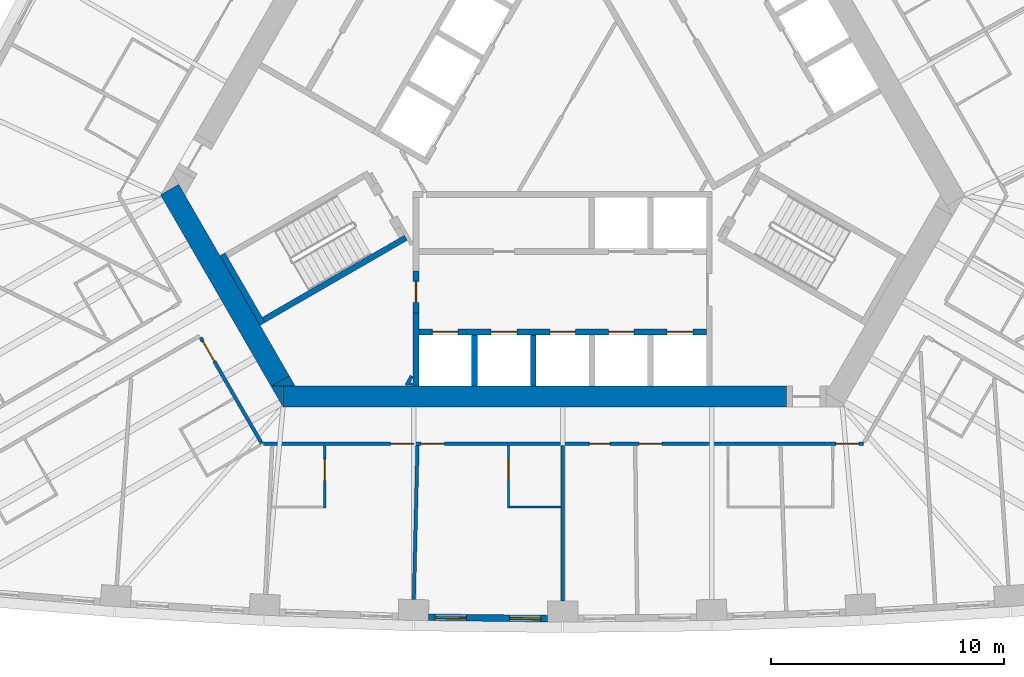
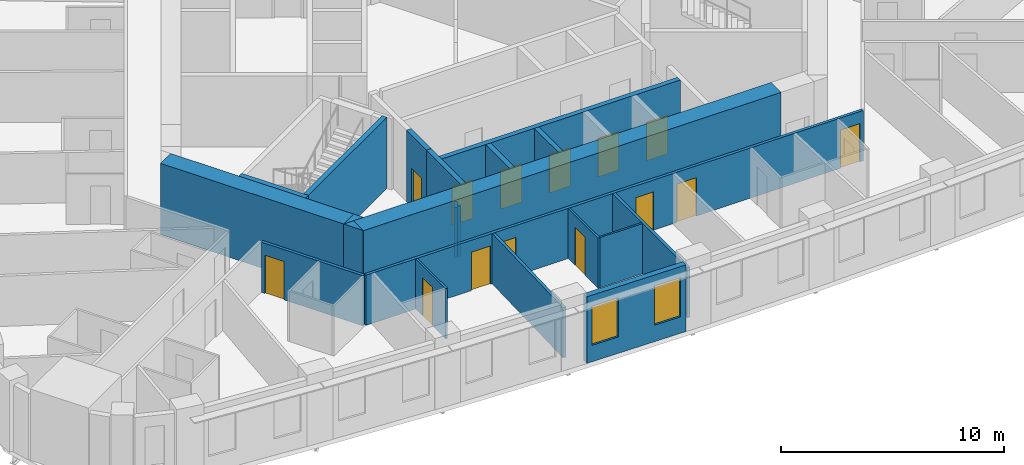
# One storey, part 4 of 13: 21 walls, 14 doors, 2 windows, 16 openings.
"""IFC4 building model written with IfcOpenShell, lengths in metres."""

import ifcopenshell
import ifcopenshell.guid

model = None  # the IFC model being written
_history = None  # IfcOwnerHistory: only IFC2X3 demands one
_inside = {}  # id of a spatial element -> (the spatial element, [elements in it])
_under = {}  # id of a project, library or spatial element -> (it, [spatial elements below it])
_declared = {}  # id of a project -> (the project, [libraries it declares])
_typed = {}  # id of a type object -> (the type object, [elements of that type])
_made_of = {}  # id of a material, layer set ... -> (it, [elements and type objects made of it])


def new_model(schema):
    """Start an empty IFC model of exactly this schema.

    Asked for "IFC4X3", IfcOpenShell would pick the latest addendum, in which some entities
    have other attributes; the version numbers below select the first issue.
    IFC2X3 requires an IfcOwnerHistory on every rooted entity: one is made here for all.
    """
    global model, _history
    if schema == "IFC4X3":
        model = ifcopenshell.file(schema_version=(4, 3, 0, 0))
    else:
        model = ifcopenshell.file(schema=schema)
    _inside.clear()
    _under.clear()
    _declared.clear()
    _typed.clear()
    _made_of.clear()
    _history = None
    if model.schema == "IFC2X3":
        org = make("IfcOrganization", Name="unknown")
        user = make(
            "IfcPersonAndOrganization",
            ThePerson=make("IfcPerson", FamilyName="unknown"),
            TheOrganization=org,
        )
        app = make(
            "IfcApplication",
            ApplicationDeveloper=org,
            Version="unknown",
            ApplicationFullName="unknown",
            ApplicationIdentifier="unknown",
        )
        _history = make(
            "IfcOwnerHistory",
            OwningUser=user,
            OwningApplication=app,
            ChangeAction="ADDED",
            CreationDate=0,
        )
    return model


def make(cls, **values):
    """One entity of the class cls with the attributes given. An attribute that is None is left unset."""
    return model.create_entity(
        cls, **{name: value for name, value in values.items() if value is not None}
    )


def rooted(cls, **values):
    """An entity with a GlobalId (a new one), such as an element, a storey or a relation."""
    return make(cls, GlobalId=ifcopenshell.guid.new(), OwnerHistory=_history, **values)


def si_unit(unit_type, name, prefix=None):
    """IfcSIUnit, for example si_unit("LENGTHUNIT", "METRE", prefix="MILLI")."""
    return make("IfcSIUnit", UnitType=unit_type, Prefix=prefix, Name=name)


def assignment(units):
    """IfcUnitAssignment: the units of a project."""
    return None if units is None else make("IfcUnitAssignment", Units=units)


def point(xyz):
    """IfcCartesianPoint."""
    return None if xyz is None else make("IfcCartesianPoint", Coordinates=xyz)


def direction(xyz):
    """IfcDirection."""
    return None if xyz is None else make("IfcDirection", DirectionRatios=xyz)


def frame(location, z_axis=None, x_axis=None):
    """IfcAxis2Placement3D, a coordinate frame: its origin and axes. An axis left out is left unset."""
    return make(
        "IfcAxis2Placement3D",
        Location=point(location),
        Axis=direction(z_axis),
        RefDirection=direction(x_axis),
    )


def frame_2d(location, x_axis=None):
    """IfcAxis2Placement2D, a coordinate frame in the plane: its origin and x axis."""
    return make(
        "IfcAxis2Placement2D", Location=point(location), RefDirection=direction(x_axis)
    )


def origin():
    """The frame at (0, 0, 0) with its axes left unset."""
    return frame((0.0, 0.0, 0.0))


def place(relative_to, where):
    """IfcLocalPlacement: puts the frame where relative to a parent placement (None: the world)."""
    return make(
        "IfcLocalPlacement", PlacementRelTo=relative_to, RelativePlacement=where
    )


def context(
    kind, dimensions, precision=None, world=None, true_north=None, identifier=None
):
    """IfcGeometricRepresentationContext, for example the 3D "Model" context."""
    return make(
        "IfcGeometricRepresentationContext",
        ContextIdentifier=identifier,
        ContextType=kind,
        CoordinateSpaceDimension=dimensions,
        Precision=precision,
        WorldCoordinateSystem=world,
        TrueNorth=true_north,
    )


def subcontext(parent, identifier, kind, view, scale=None):
    """IfcGeometricRepresentationSubContext, for example "Body" below "Model"."""
    return make(
        "IfcGeometricRepresentationSubContext",
        ContextIdentifier=identifier,
        ContextType=kind,
        ParentContext=parent,
        TargetScale=scale,
        TargetView=view,
    )


def project(units=None, contexts=None):
    """IfcProject with its units and contexts."""
    return rooted(
        "IfcProject",
        Name="project",
        RepresentationContexts=contexts,
        UnitsInContext=assignment(units),
    )


def spatial(cls, under=None, at=None, **own):
    """A site, building, storey or space (cls), placed at a placement, below another one or the project."""
    s = rooted(cls, ObjectPlacement=at, **own)
    if under is not None:
        _under.setdefault(under.id(), (under, []))[1].append(s)
    return s


def polyline(points):
    """IfcPolyline through the points."""
    return make("IfcPolyline", Points=[point(p) for p in points])


def profile(cls, at=None, kind="AREA", **sizes):
    """A parametric profile (cls). Its sizes go by their IFC names, for example OverallWidth=200.0."""
    return make(cls, ProfileType=kind, Position=at, **sizes)


def rectangle(**sizes):
    """IfcRectangleProfileDef."""
    return profile("IfcRectangleProfileDef", **sizes)


def outline(outer, holes=None, kind="AREA"):
    """IfcArbitraryClosedProfileDef: a profile drawn as a closed curve; with holes, ...WithVoids."""
    if holes is None:
        return make("IfcArbitraryClosedProfileDef", ProfileType=kind, OuterCurve=outer)
    return make(
        "IfcArbitraryProfileDefWithVoids",
        ProfileType=kind,
        OuterCurve=outer,
        InnerCurves=holes,
    )


def extrude(swept, where, along, depth):
    """IfcExtrudedAreaSolid: the profile swept, set in the frame where, extruded along a direction by depth."""
    return make(
        "IfcExtrudedAreaSolid",
        SweptArea=swept,
        Position=where,
        ExtrudedDirection=direction(along),
        Depth=depth,
    )


def shape(context_of_items, identifier, shape_type, items):
    """IfcShapeRepresentation: the items that make up one representation, for example the "Body"."""
    return make(
        "IfcShapeRepresentation",
        ContextOfItems=context_of_items,
        RepresentationIdentifier=identifier,
        RepresentationType=shape_type,
        Items=items,
    )


def material(Name=None, Category=None):
    """IfcMaterial."""
    return make("IfcMaterial", Name=Name, Category=Category)


def layer(
    of_material, thickness, ventilated=None, Name=None, Category=None, Priority=None
):
    """IfcMaterialLayer: one layer of a wall or slab, of a material (None: an air gap)."""
    return make(
        "IfcMaterialLayer",
        Material=of_material,
        LayerThickness=thickness,
        IsVentilated=ventilated,
        Name=Name,
        Category=Category,
        Priority=Priority,
    )


def layer_set(layers, Name=None):
    """IfcMaterialLayerSet."""
    return make("IfcMaterialLayerSet", MaterialLayers=layers, LayerSetName=Name)


def made_of(thing, what):
    """Note that an element or type object is made of a material, layer set ...; save() writes the relation."""
    if what is not None:
        _made_of.setdefault(what.id(), (what, []))[1].append(thing)
    return thing


def type_object(cls, material=None, **own):
    """A type object (cls), such as IfcWallType, which elements share."""
    return made_of(rooted(cls, **own), material)


def element(
    cls,
    number,
    at=None,
    inside=None,
    cuts=None,
    type_object=None,
    material=None,
    context=None,
    identifier="Body",
    shape_type=None,
    held_by="IfcProductDefinitionShape",
    body=None,
    shapes=None,
    **own,
):
    """One element of the class cls, such as IfcWall. Its Tag is "e" and its number.

    at: its placement. inside: the storey or other place that contains it. cuts: it is an
    opening in that element (IfcRelVoidsElement). A single representation is given by context,
    identifier, shape_type and body (its items); several are given by shapes. held_by: the class
    of the entity that holds the representations. save() writes the other relations.
    """
    e = rooted(cls, Tag="e%d" % number, ObjectPlacement=at, **own)
    if body is not None:
        shapes = [shape(context, identifier, shape_type, body)]
    if shapes is not None:
        e.Representation = make(held_by, Representations=shapes)
    if inside is not None:
        _inside.setdefault(inside.id(), (inside, []))[1].append(e)
    if cuts is not None:
        rooted(
            "IfcRelVoidsElement", RelatingBuildingElement=cuts, RelatedOpeningElement=e
        )
    if type_object is not None:
        _typed.setdefault(type_object.id(), (type_object, []))[1].append(e)
    return made_of(e, material)


def fill(opening, filler):
    """IfcRelFillsElement: the door or window that sits in an opening."""
    return rooted(
        "IfcRelFillsElement",
        RelatingOpeningElement=opening,
        RelatedBuildingElement=filler,
    )


def aggregate(whole, parts):
    """IfcRelAggregates: a whole, such as a stair, and the parts it consists of."""
    return rooted("IfcRelAggregates", RelatingObject=whole, RelatedObjects=parts)


def save(model, path):
    """Write the relations noted so far, then the file.

    IfcRelAggregates (storeys below a building ...), IfcRelContainedInSpatialStructure (elements
    in a storey), IfcRelDefinesByType, IfcRelAssociatesMaterial and IfcRelDeclares: one each for
    every whole, place, type object, material and project.
    """
    for whole, parts in _under.values():
        aggregate(whole, parts)
    for where, things in _inside.values():
        rooted(
            "IfcRelContainedInSpatialStructure",
            RelatedElements=things,
            RelatingStructure=where,
        )
    for kind, things in _typed.values():
        rooted("IfcRelDefinesByType", RelatedObjects=things, RelatingType=kind)
    for what, things in _made_of.values():
        rooted("IfcRelAssociatesMaterial", RelatedObjects=things, RelatingMaterial=what)
    for by, libraries in _declared.values():
        rooted("IfcRelDeclares", RelatingContext=by, RelatedDefinitions=libraries)
    model.write(path)


model = new_model("IFC4")

# Units and contexts
model_context = context("Model", 3, precision=1e-05, world=origin(), true_north=direction((0.0, 1.0)))
body_context = subcontext(model_context, "Body", "Model", "MODEL_VIEW")
ifc_project = project(units=[si_unit("LENGTHUNIT", "METRE"), si_unit("AREAUNIT", "SQUARE_METRE"), si_unit("VOLUMEUNIT", "CUBIC_METRE"), si_unit("PLANEANGLEUNIT", "RADIAN"), si_unit("MASSUNIT", "GRAM", prefix="KILO")], contexts=[model_context])

# Site, building, storey
site_placement = place(None, origin())
site = spatial("IfcSite", under=ifc_project, at=site_placement, CompositionType="ELEMENT")
building_placement = place(site_placement, origin())
building = spatial("IfcBuilding", under=site, at=building_placement, Name="Mestral Congress Tower", CompositionType="ELEMENT")
storey_placement = place(building_placement, frame((0.0, 0.0, 83.699951171875)))
storey = spatial("IfcBuildingStorey", under=building, at=storey_placement, Name="L19", CompositionType="ELEMENT", Elevation=83.699951171875)

# Walls
ifc_material_1 = material(Name="Fire-rated board partition")
ifc_layer_1 = layer(ifc_material_1, 0.14990234375)
ifc_layer_set_1 = layer_set([ifc_layer_1], Name="Fire-rated board partition")
wall_type_1 = type_object("IfcWallType", Name="Core partition 150", PredefinedType="PARTITIONING", material=ifc_layer_set_1)
wall_1_placement = place(storey_placement, frame((-6.707763671875, -12.068115234375, 0.0), z_axis=(0.0, 0.0, 1.0), x_axis=(0.500000789788, 0.8660249478, 0.0)))
element("IfcWall", 1, at=wall_1_placement, inside=storey, type_object=wall_type_1, Name="L19 core wall", PredefinedType="PARTITIONING", context=body_context, shape_type="SweptSolid", body=[
    extrude(rectangle(XDim=0.45556640625, YDim=0.14990234375, at=frame_2d((0.227783203125, 0.0))), origin(), (0.0, 0.0, 1.0), 2.75),
])
wall_2_placement = place(storey_placement, frame((-6.534423828125, -12.068115234375, 0.0), z_axis=(0.0, 0.0, 1.0), x_axis=(0.500240224089, 0.865886665912, 0.0)))
element("IfcWall", 2, at=wall_2_placement, inside=storey, type_object=wall_type_1, Name="L19 core wall", PredefinedType="PARTITIONING", context=body_context, shape_type="SweptSolid", body=[
    extrude(rectangle(XDim=0.10888671875, YDim=0.14990234375, at=frame_2d((0.054443359375, 0.0))), origin(), (0.0, 0.0, 1.0), 2.75),
])
ifc_material_2 = material(Name="Concrete C60/75", Category="concrete")
ifc_layer_2 = layer(ifc_material_2, 0.89990234375)
ifc_layer_set_2 = layer_set([ifc_layer_2], Name="Concrete C60/75")
wall_type_2 = type_object("IfcWallType", Name="Core wall RC 900", PredefinedType="SOLIDWALL", material=ifc_layer_set_2)
wall_3_placement = place(storey_placement, frame((-12.0185546875, -12.550048828125, 0.0), z_axis=(0.0, 0.0, 1.0), x_axis=(1.0, 0.0, 0.0)))
element("IfcWall", 3, at=wall_3_placement, inside=storey, type_object=wall_type_2, Name="L19 core wall", PredefinedType="SOLIDWALL", context=body_context, shape_type="SweptSolid", body=[
    extrude(rectangle(XDim=21.63037109375, YDim=0.89990234375, at=frame_2d((10.815185546875, 0.0))), origin(), (0.0, 0.0, 1.0), 3.900146484375),
])
placement = place(storey_placement, origin())
element("IfcWall", 4, at=placement, inside=storey, type_object=wall_type_2, Name="L19 core wall", PredefinedType="SOLIDWALL", context=body_context, shape_type="SweptSolid", body=[
    extrude(outline(polyline([(-12.528564453125, -12.10009765625), (-12.0205078125, -12.10009765625), (-12.0205078125, -12.97998046875), (-12.528564453125, -12.10009765625)])), origin(), (0.0, 0.0, 1.0), 3.900146484375),
])
wall_5_placement = place(storey_placement, frame((-12.134033203125, -11.88330078125, 0.0), z_axis=(0.0, 0.0, 1.0), x_axis=(-0.500005339912, 0.866022320763, 0.0)))
element("IfcWall", 5, at=wall_5_placement, inside=storey, type_object=wall_type_2, Name="L19 core wall", PredefinedType="SOLIDWALL", context=body_context, shape_type="SweptSolid", body=[
    extrude(rectangle(XDim=9.48779296875, YDim=0.89990234375, at=frame_2d((4.743896484375, 0.0))), origin(), (0.0, 0.0, 1.0), 3.900146484375),
])
element("IfcWall", 6, at=placement, inside=storey, type_object=wall_type_2, Name="L19 core wall", PredefinedType="SOLIDWALL", context=body_context, shape_type="SweptSolid", body=[
    extrude(outline(polyline([(-11.4892578125, -12.10009765625), (-12.50537109375, -12.10009765625), (-11.743408203125, -11.66015625), (-11.4892578125, -12.10009765625)])), origin(), (0.0, 0.0, 1.0), 3.900146484375),
])

# Wall, openings, windows
ifc_material_3 = material(Name="Precast concrete C40/50 with limestone facing", Category="masonry")
ifc_layer_3 = layer(ifc_material_3, 0.2900390625)
ifc_layer_set_3 = layer_set([ifc_layer_3], Name="Precast concrete C40/50 with limestone facing")
wall_type_3 = type_object("IfcWallType", Name="Facade stone wall 290", PredefinedType="SOLIDWALL", material=ifc_layer_set_3)
wall_7_placement = place(storey_placement, frame((-5.753173828125, -22.031494140625, 0.0), z_axis=(0.0, 0.0, 1.0), x_axis=(0.999931786565, -0.011679992145, 0.0)))
wall_7 = element("IfcWall", 7, at=wall_7_placement, inside=storey, type_object=wall_type_3, Name="Facade wall F0-03", PredefinedType="SOLIDWALL", context=body_context, shape_type="SweptSolid", body=[
    extrude(rectangle(XDim=5.10009765625, YDim=0.2900390625, at=frame_2d((2.550048828125, 0.0))), origin(), (0.0, 0.0, 1.0), 3.650146484375),
])
opening_1_placement = place(wall_7_placement, frame((0.2724609375, 0.0, 0.89990234375)))
opening_1 = element("IfcOpeningElement", 8, at=opening_1_placement, cuts=wall_7, Name="Opening W2", PredefinedType="OPENING", context=body_context, shape_type="SweptSolid", body=[
    extrude(rectangle(XDim=1.35009765625, YDim=2.14990234375, at=frame_2d((0.675048828125, 1.074951171875))), frame((0.0, 0.155029296875, 0.0), z_axis=(0.0, -1.0, 0.0), x_axis=(1.0, 0.0, 0.0)), (0.0, 0.0, 1.0), 0.31005859375),
])
opening_2_placement = place(wall_7_placement, frame((3.477783203125, 0.0, 0.89990234375)))
opening_2 = element("IfcOpeningElement", 9, at=opening_2_placement, cuts=wall_7, Name="Opening W2", PredefinedType="OPENING", context=body_context, shape_type="SweptSolid", body=[
    extrude(rectangle(XDim=1.35009765625, YDim=2.14990234375, at=frame_2d((0.675048828125, 1.074951171875))), frame((0.0, 0.155029296875, 0.0), z_axis=(0.0, -1.0, 0.0), x_axis=(1.0, 0.0, 0.0)), (0.0, 0.0, 1.0), 0.31005859375),
])
ifc_material_4 = material(Name="Clear low-emissivity double glazing", Category="glass")
window_type = type_object("IfcWindowType", Name="Facade punched window 1350 x 2150 sill 900", PartitioningType="DOUBLE_PANEL_VERTICAL", PredefinedType="WINDOW", material=ifc_material_4)
window_1_placement = place(opening_1_placement, origin())
window_1 = element("IfcWindow", 10, at=window_1_placement, inside=storey, type_object=window_type, Name="Window F0-03a", OverallHeight=2.14990234375, OverallWidth=1.35009765625, PartitioningType="DOUBLE_PANEL_VERTICAL", PredefinedType="WINDOW", context=body_context, shape_type="SweptSolid", body=[
    extrude(rectangle(XDim=1.35009765625, YDim=2.14990234375, at=frame_2d((0.675048828125, 1.074951171875))), frame((0.0, 0.01513671875, 0.0), z_axis=(0.0, -1.0, 0.0), x_axis=(1.0, 0.0, 0.0)), (0.0, 0.0, 1.0), 0.06005859375),
])
fill(opening_1, window_1)
window_2_placement = place(opening_2_placement, origin())
window_2 = element("IfcWindow", 11, at=window_2_placement, inside=storey, type_object=window_type, Name="Window F0-03b", OverallHeight=2.14990234375, OverallWidth=1.35009765625, PartitioningType="DOUBLE_PANEL_VERTICAL", PredefinedType="WINDOW", context=body_context, shape_type="SweptSolid", body=[
    extrude(rectangle(XDim=1.35009765625, YDim=2.14990234375, at=frame_2d((0.675048828125, 1.074951171875))), frame((0.0, 0.01513671875, 0.0), z_axis=(0.0, -1.0, 0.0), x_axis=(1.0, 0.0, 0.0)), (0.0, 0.0, 1.0), 0.06005859375),
])
fill(opening_2, window_2)

# Wall, opening, door
ifc_material_5 = material(Name="Gypsum board partition on metal studs with mineral wool", Category="composite")
ifc_layer_4 = layer(ifc_material_5, 0.10009765625)
ifc_layer_set_4 = layer_set([ifc_layer_4], Name="Gypsum board partition on metal studs with mineral wool")
wall_type_4 = type_object("IfcWallType", Name="Hotel partition wall 100", PredefinedType="PARTITIONING", material=ifc_layer_set_4)
wall_8_placement = place(storey_placement, frame((-10.222412109375, -17.35009765625, 0.0), z_axis=(0.0, 0.0, 1.0), x_axis=(0.0, 1.0, 0.0)))
wall_8 = element("IfcWall", 12, at=wall_8_placement, inside=storey, type_object=wall_type_4, Name="L19-h-pod03a", PredefinedType="PARTITIONING", context=body_context, shape_type="SweptSolid", body=[
    extrude(rectangle(XDim=2.7001953125, YDim=0.10009765625, at=frame_2d((1.35009765625, 0.0))), origin(), (0.0, 0.0, 1.0), 2.75),
])
opening_3_placement = place(wall_8_placement, frame((1.199951171875, 0.0, 0.0)))
opening_3 = element("IfcOpeningElement", 13, at=opening_3_placement, cuts=wall_8, Name="Opening H06-006", PredefinedType="OPENING", context=body_context, shape_type="SweptSolid", body=[
    extrude(rectangle(XDim=0.89990234375, YDim=2.10009765625, at=frame_2d((0.449951171875, 1.050048828125))), frame((0.0, 0.06005859375, 0.0), z_axis=(0.0, -1.0, 0.0), x_axis=(1.0, 0.0, 0.0)), (0.0, 0.0, 1.0), 0.1201171875),
])
ifc_material_6 = material(Name="Timber veneer door leaf in timber frame", Category="wood")
door_type_1 = type_object("IfcDoorType", Name="Bathroom door 900", OperationType="SINGLE_SWING_LEFT", PredefinedType="DOOR", material=ifc_material_6)
door_1_placement = place(opening_3_placement, origin())
door_1 = element("IfcDoor", 14, at=door_1_placement, inside=storey, type_object=door_type_1, Name="L19-h-d006", OperationType="SINGLE_SWING_RIGHT", OverallHeight=2.10009765625, OverallWidth=0.89990234375, PredefinedType="DOOR", context=body_context, shape_type="SweptSolid", body=[
    extrude(rectangle(XDim=0.89990234375, YDim=2.10009765625, at=frame_2d((0.449951171875, 1.050048828125))), frame((0.0, 0.02490234375, 0.0), z_axis=(0.0, -1.0, 0.0), x_axis=(1.0, 0.0, 0.0)), (0.0, 0.0, 1.0), 0.050048828125),
])
fill(opening_3, door_1)

wall_9_placement = place(storey_placement, frame((-2.325927734375, -14.64990234375, 0.0), z_axis=(0.0, 0.0, 1.0), x_axis=(0.0, -1.0, 0.0)))
wall_9 = element("IfcWall", 15, at=wall_9_placement, inside=storey, type_object=wall_type_4, Name="L19-h-pod04a", PredefinedType="PARTITIONING", context=body_context, shape_type="SweptSolid", body=[
    extrude(rectangle(XDim=2.7001953125, YDim=0.10009765625, at=frame_2d((1.35009765625, 0.0))), origin(), (0.0, 0.0, 1.0), 2.75),
])
opening_4_placement = place(wall_9_placement, frame((0.60009765625, 0.0, 0.0)))
opening_4 = element("IfcOpeningElement", 16, at=opening_4_placement, cuts=wall_9, Name="Opening H06-008", PredefinedType="OPENING", context=body_context, shape_type="SweptSolid", body=[
    extrude(rectangle(XDim=0.89990234375, YDim=2.10009765625, at=frame_2d((0.449951171875, 1.050048828125))), frame((0.0, 0.06005859375, 0.0), z_axis=(0.0, -1.0, 0.0), x_axis=(1.0, 0.0, 0.0)), (0.0, 0.0, 1.0), 0.1201171875),
])
door_2_placement = place(opening_4_placement, origin())
door_2 = element("IfcDoor", 17, at=door_2_placement, inside=storey, type_object=door_type_1, Name="L19-h-d008", OperationType="SINGLE_SWING_LEFT", OverallHeight=2.10009765625, OverallWidth=0.89990234375, PredefinedType="DOOR", context=body_context, shape_type="SweptSolid", body=[
    extrude(rectangle(XDim=0.89990234375, YDim=2.10009765625, at=frame_2d((0.449951171875, 1.050048828125))), frame((0.0, 0.02490234375, 0.0), z_axis=(0.0, -1.0, 0.0), x_axis=(1.0, 0.0, 0.0)), (0.0, 0.0, 1.0), 0.050048828125),
])
fill(opening_4, door_2)

# Wall
wall_10_placement = place(storey_placement, frame((-2.27587890625, -17.300048828125, 0.0), z_axis=(0.0, 0.0, 1.0), x_axis=(1.0, 0.0, 0.0)))
element("IfcWall", 18, at=wall_10_placement, inside=storey, type_object=wall_type_4, Name="L19-h-pod04b", PredefinedType="PARTITIONING", context=body_context, shape_type="SweptSolid", body=[
    extrude(rectangle(XDim=2.199951171875, YDim=0.10009765625, at=frame_2d((1.10009765625, 0.0))), origin(), (0.0, 0.0, 1.0), 2.75),
])

# Wall, opening, door
ifc_layer_5 = layer(ifc_material_5, 0.14990234375)
ifc_layer_set_5 = layer_set([ifc_layer_5], Name="Gypsum board partition on metal studs with mineral wool")
wall_type_5 = type_object("IfcWallType", Name="Hotel partition wall 150", PredefinedType="PARTITIONING", material=ifc_layer_set_5)
wall_11_placement = place(storey_placement, frame((-12.918212890625, -14.574951171875, 0.0), z_axis=(0.0, 0.0, 1.0), x_axis=(-0.500009150678, 0.866020120573, 0.0)))
wall_11 = element("IfcWall", 19, at=wall_11_placement, inside=storey, type_object=wall_type_5, Name="L19-h-cw12", PredefinedType="PARTITIONING", context=body_context, shape_type="SweptSolid", body=[
    extrude(rectangle(XDim=5.25830078125, YDim=0.14990234375, at=frame_2d((2.629150390625, 0.0))), origin(), (0.0, 0.0, 1.0), 2.75),
])
opening_5_placement = place(wall_11_placement, frame((4.078125, 0.0, 0.0)))
opening_5 = element("IfcOpeningElement", 20, at=opening_5_placement, cuts=wall_11, Name="Opening H06-003", PredefinedType="OPENING", context=body_context, shape_type="SweptSolid", body=[
    extrude(rectangle(XDim=1.0, YDim=2.10009765625, at=frame_2d((0.5, 1.050048828125))), frame((0.0, 0.0849609375, 0.0), z_axis=(0.0, -1.0, 0.0), x_axis=(1.0, 0.0, 0.0)), (0.0, 0.0, 1.0), 0.169921875),
])
ifc_material_7 = material(Name="Timber veneer door leaf in metal frame", Category="wood")
door_type_2 = type_object("IfcDoorType", Name="Guest room entrance door 1000", OperationType="SINGLE_SWING_LEFT", PredefinedType="DOOR", material=ifc_material_7)
door_3_placement = place(opening_5_placement, origin())
door_3 = element("IfcDoor", 21, at=door_3_placement, inside=storey, type_object=door_type_2, Name="L19-h-d003", OperationType="SINGLE_SWING_RIGHT", OverallHeight=2.10009765625, OverallWidth=1.0, PredefinedType="DOOR", context=body_context, shape_type="SweptSolid", body=[
    extrude(rectangle(XDim=1.0, YDim=2.10009765625, at=frame_2d((0.5, 1.050048828125))), frame((0.0, 0.02490234375, 0.0), z_axis=(0.0, -1.0, 0.0), x_axis=(1.0, 0.0, 0.0)), (0.0, 0.0, 1.0), 0.050048828125),
])
fill(opening_5, door_3)

# Wall, openings, doors
wall_12_placement = place(storey_placement, frame((12.918212890625, -14.574951171875, 0.0), z_axis=(0.0, 0.0, 1.0), x_axis=(-1.0, 0.0, 0.0)))
wall_12 = element("IfcWall", 22, at=wall_12_placement, inside=storey, type_object=wall_type_5, Name="L19-h-cw13", PredefinedType="PARTITIONING", context=body_context, shape_type="SweptSolid", body=[
    extrude(rectangle(XDim=25.766357421875, YDim=0.14990234375, at=frame_2d((12.88330078125, 0.0))), origin(), (0.0, 0.0, 1.0), 2.75),
])
opening_6_placement = place(wall_12_placement, frame((19.305908203125, 0.0, 0.0)))
opening_6 = element("IfcOpeningElement", 23, at=opening_6_placement, cuts=wall_12, Name="Opening H06-005", PredefinedType="OPENING", context=body_context, shape_type="SweptSolid", body=[
    extrude(rectangle(XDim=1.0, YDim=2.10009765625, at=frame_2d((0.5, 1.050048828125))), frame((0.0, 0.0849609375, 0.0), z_axis=(0.0, -1.0, 0.0), x_axis=(1.0, 0.0, 0.0)), (0.0, 0.0, 1.0), 0.169921875),
])
opening_7_placement = place(wall_12_placement, frame((17.99853515625, 0.0, 0.0)))
opening_7 = element("IfcOpeningElement", 24, at=opening_7_placement, cuts=wall_12, Name="Opening H06-007", PredefinedType="OPENING", context=body_context, shape_type="SweptSolid", body=[
    extrude(rectangle(XDim=1.0, YDim=2.10009765625, at=frame_2d((0.5, 1.050048828125))), frame((0.0, 0.0849609375, 0.0), z_axis=(0.0, -1.0, 0.0), x_axis=(1.0, 0.0, 0.0)), (0.0, 0.0, 1.0), 0.169921875),
])
opening_8_placement = place(wall_12_placement, frame((10.8740234375, 0.0, 0.0)))
opening_8 = element("IfcOpeningElement", 25, at=opening_8_placement, cuts=wall_12, Name="Opening H06-009", PredefinedType="OPENING", context=body_context, shape_type="SweptSolid", body=[
    extrude(rectangle(XDim=0.89990234375, YDim=2.10009765625, at=frame_2d((0.449951171875, 1.050048828125))), frame((0.0, 0.0849609375, 0.0), z_axis=(0.0, -1.0, 0.0), x_axis=(1.0, 0.0, 0.0)), (0.0, 0.0, 1.0), 0.169921875),
])
opening_9_placement = place(wall_12_placement, frame((8.6474609375, 0.0, 0.0)))
opening_9 = element("IfcOpeningElement", 26, at=opening_9_placement, cuts=wall_12, Name="Opening H06-010", PredefinedType="OPENING", context=body_context, shape_type="SweptSolid", body=[
    extrude(rectangle(XDim=1.0, YDim=2.10009765625, at=frame_2d((0.5, 1.050048828125))), frame((0.0, 0.0849609375, 0.0), z_axis=(0.0, -1.0, 0.0), x_axis=(1.0, 0.0, 0.0)), (0.0, 0.0, 1.0), 0.169921875),
])
opening_10_placement = place(wall_12_placement, frame((0.179931640625, 0.0, 0.0)))
opening_10 = element("IfcOpeningElement", 27, at=opening_10_placement, cuts=wall_12, Name="Opening H06-012", PredefinedType="OPENING", context=body_context, shape_type="SweptSolid", body=[
    extrude(rectangle(XDim=1.0, YDim=2.10009765625, at=frame_2d((0.5, 1.050048828125))), frame((0.0, 0.0849609375, 0.0), z_axis=(0.0, -1.0, 0.0), x_axis=(1.0, 0.0, 0.0)), (0.0, 0.0, 1.0), 0.169921875),
])
door_4_placement = place(opening_6_placement, origin())
door_4 = element("IfcDoor", 28, at=door_4_placement, inside=storey, type_object=door_type_2, Name="L19-h-d005", OperationType="SINGLE_SWING_LEFT", OverallHeight=2.10009765625, OverallWidth=1.0, PredefinedType="DOOR", context=body_context, shape_type="SweptSolid", body=[
    extrude(rectangle(XDim=1.0, YDim=2.10009765625, at=frame_2d((0.5, 1.050048828125))), frame((0.0, 0.02490234375, 0.0), z_axis=(0.0, -1.0, 0.0), x_axis=(1.0, 0.0, 0.0)), (0.0, 0.0, 1.0), 0.050048828125),
])
fill(opening_6, door_4)
door_5_placement = place(opening_7_placement, origin())
door_5 = element("IfcDoor", 29, at=door_5_placement, inside=storey, type_object=door_type_2, Name="L19-h-d007", OperationType="SINGLE_SWING_RIGHT", OverallHeight=2.10009765625, OverallWidth=1.0, PredefinedType="DOOR", context=body_context, shape_type="SweptSolid", body=[
    extrude(rectangle(XDim=1.0, YDim=2.10009765625, at=frame_2d((0.5, 1.050048828125))), frame((0.0, 0.02490234375, 0.0), z_axis=(0.0, -1.0, 0.0), x_axis=(1.0, 0.0, 0.0)), (0.0, 0.0, 1.0), 0.050048828125),
])
fill(opening_7, door_5)
door_6_placement = place(opening_9_placement, origin())
door_6 = element("IfcDoor", 30, at=door_6_placement, inside=storey, type_object=door_type_2, Name="L19-h-d010", OperationType="SINGLE_SWING_RIGHT", OverallHeight=2.10009765625, OverallWidth=1.0, PredefinedType="DOOR", context=body_context, shape_type="SweptSolid", body=[
    extrude(rectangle(XDim=1.0, YDim=2.10009765625, at=frame_2d((0.5, 1.050048828125))), frame((0.0, 0.02490234375, 0.0), z_axis=(0.0, -1.0, 0.0), x_axis=(1.0, 0.0, 0.0)), (0.0, 0.0, 1.0), 0.050048828125),
])
fill(opening_9, door_6)
door_7_placement = place(opening_10_placement, origin())
door_7 = element("IfcDoor", 31, at=door_7_placement, inside=storey, type_object=door_type_2, Name="L19-h-d012", OperationType="SINGLE_SWING_LEFT", OverallHeight=2.10009765625, OverallWidth=1.0, PredefinedType="DOOR", context=body_context, shape_type="SweptSolid", body=[
    extrude(rectangle(XDim=1.0, YDim=2.10009765625, at=frame_2d((0.5, 1.050048828125))), frame((0.0, 0.02490234375, 0.0), z_axis=(0.0, -1.0, 0.0), x_axis=(1.0, 0.0, 0.0)), (0.0, 0.0, 1.0), 0.050048828125),
])
fill(opening_10, door_7)
door_type_3 = type_object("IfcDoorType", Name="Service room door 900", OperationType="SINGLE_SWING_LEFT", PredefinedType="DOOR", material=ifc_material_7)
door_8_placement = place(opening_8_placement, origin())
door_8 = element("IfcDoor", 32, at=door_8_placement, inside=storey, type_object=door_type_3, Name="L19-h-d009", OperationType="SINGLE_SWING_LEFT", OverallHeight=2.10009765625, OverallWidth=0.89990234375, PredefinedType="DOOR", context=body_context, shape_type="SweptSolid", body=[
    extrude(rectangle(XDim=0.89990234375, YDim=2.10009765625, at=frame_2d((0.449951171875, 1.050048828125))), frame((0.0, 0.02490234375, 0.0), z_axis=(0.0, -1.0, 0.0), x_axis=(1.0, 0.0, 0.0)), (0.0, 0.0, 1.0), 0.050048828125),
])
fill(opening_8, door_8)

# Walls
wall_13_placement = place(storey_placement, frame((-6.388916015625, -21.268798828125, 0.0), z_axis=(0.0, 0.0, 1.0), x_axis=(0.023377429176, 0.999726710559, 0.0)))
element("IfcWall", 33, at=wall_13_placement, inside=storey, type_object=wall_type_5, Name="L19-h-pw12", PredefinedType="PARTITIONING", context=body_context, shape_type="SweptSolid", body=[
    extrude(rectangle(XDim=6.610595703125, YDim=0.14990234375, at=frame_2d((3.30517578125, 0.0))), origin(), (0.0, 0.0, 1.0), 2.75),
])
wall_14_placement = place(storey_placement, frame((0.0, -21.343505859375, 0.0), z_axis=(0.0, 0.0, 1.0), x_axis=(0.0, 1.0, 0.0)))
element("IfcWall", 34, at=wall_14_placement, inside=storey, type_object=wall_type_5, Name="L19-h-pw15", PredefinedType="PARTITIONING", context=body_context, shape_type="SweptSolid", body=[
    extrude(rectangle(XDim=6.693603515625, YDim=0.14990234375, at=frame_2d((3.3466796875, 0.0))), origin(), (0.0, 0.0, 1.0), 2.75),
])
ifc_layer_6 = layer(ifc_material_2, 0.25)
ifc_layer_set_6 = layer_set([ifc_layer_6], Name="Concrete C60/75")
wall_type_6 = type_object("IfcWallType", Name="Shaft wall RC 250", PredefinedType="SOLIDWALL", material=ifc_layer_set_6)
wall_15_placement = place(storey_placement, frame((-3.780029296875, -12.10009765625, 0.0), z_axis=(0.0, 0.0, 1.0), x_axis=(0.0, 1.0, 0.0)))
element("IfcWall", 35, at=wall_15_placement, inside=storey, type_object=wall_type_6, Name="L19 core wall", PredefinedType="SOLIDWALL", context=body_context, shape_type="SweptSolid", body=[
    extrude(rectangle(XDim=2.199951171875, YDim=0.25, at=frame_2d((1.10009765625, 0.0))), origin(), (0.0, 0.0, 1.0), 3.900146484375),
])
wall_16_placement = place(storey_placement, frame((-6.300048828125, -12.10009765625, 0.0), z_axis=(0.0, 0.0, 1.0), x_axis=(0.0, 1.0, 0.0)))
element("IfcWall", 36, at=wall_16_placement, inside=storey, type_object=wall_type_6, Name="L19 core wall", PredefinedType="SOLIDWALL", context=body_context, shape_type="SweptSolid", body=[
    extrude(rectangle(XDim=3.1455078125, YDim=0.25, at=frame_2d((1.57275390625, 0.0))), origin(), (0.0, 0.0, 1.0), 3.900146484375),
])
wall_17_placement = place(storey_placement, frame((-1.260009765625, -12.10009765625, 0.0), z_axis=(0.0, 0.0, 1.0), x_axis=(0.0, 1.0, 0.0)))
element("IfcWall", 37, at=wall_17_placement, inside=storey, type_object=wall_type_6, Name="L19 core wall", PredefinedType="SOLIDWALL", context=body_context, shape_type="SweptSolid", body=[
    extrude(rectangle(XDim=2.199951171875, YDim=0.25, at=frame_2d((1.10009765625, 0.0))), origin(), (0.0, 0.0, 1.0), 3.900146484375),
])

# Wall, openings, doors
wall_18_placement = place(storey_placement, frame((-6.175048828125, -9.77490234375, 0.0), z_axis=(0.0, 0.0, 1.0), x_axis=(1.0, 0.0, 0.0)))
wall_18 = element("IfcWall", 38, at=wall_18_placement, inside=storey, type_object=wall_type_6, Name="L19 door wall", PredefinedType="SOLIDWALL", context=body_context, shape_type="SweptSolid", body=[
    extrude(rectangle(XDim=12.35009765625, YDim=0.25, at=frame_2d((6.175048828125, 0.0))), origin(), (0.0, 0.0, 1.0), 3.900146484375),
])
opening_11_placement = place(wall_18_placement, frame((0.5849609375, 0.0, 0.0)))
opening_11 = element("IfcOpeningElement", 39, at=opening_11_placement, cuts=wall_18, Name="Opening LD-SOA1", PredefinedType="OPENING", context=body_context, shape_type="SweptSolid", body=[
    extrude(rectangle(XDim=1.10009765625, YDim=2.10009765625, at=frame_2d((0.550048828125, 1.050048828125))), frame((0.0, 0.135009765625, 0.0), z_axis=(0.0, -1.0, 0.0), x_axis=(1.0, 0.0, 0.0)), (0.0, 0.0, 1.0), 0.27001953125),
])
opening_12_placement = place(wall_18_placement, frame((3.10498046875, 0.0, 0.0)))
opening_12 = element("IfcOpeningElement", 40, at=opening_12_placement, cuts=wall_18, Name="Opening LD-SOA2", PredefinedType="OPENING", context=body_context, shape_type="SweptSolid", body=[
    extrude(rectangle(XDim=1.10009765625, YDim=2.10009765625, at=frame_2d((0.550048828125, 1.050048828125))), frame((0.0, 0.135009765625, 0.0), z_axis=(0.0, -1.0, 0.0), x_axis=(1.0, 0.0, 0.0)), (0.0, 0.0, 1.0), 0.27001953125),
])
opening_13_placement = place(wall_18_placement, frame((5.625, 0.0, 0.0)))
opening_13 = element("IfcOpeningElement", 41, at=opening_13_placement, cuts=wall_18, Name="Opening LD-SOA3", PredefinedType="OPENING", context=body_context, shape_type="SweptSolid", body=[
    extrude(rectangle(XDim=1.10009765625, YDim=2.10009765625, at=frame_2d((0.550048828125, 1.050048828125))), frame((0.0, 0.135009765625, 0.0), z_axis=(0.0, -1.0, 0.0), x_axis=(1.0, 0.0, 0.0)), (0.0, 0.0, 1.0), 0.27001953125),
])
opening_14_placement = place(wall_18_placement, frame((8.14501953125, 0.0, 0.0)))
opening_14 = element("IfcOpeningElement", 42, at=opening_14_placement, cuts=wall_18, Name="Opening LD-SOA4", PredefinedType="OPENING", context=body_context, shape_type="SweptSolid", body=[
    extrude(rectangle(XDim=1.10009765625, YDim=2.10009765625, at=frame_2d((0.550048828125, 1.050048828125))), frame((0.0, 0.135009765625, 0.0), z_axis=(0.0, -1.0, 0.0), x_axis=(1.0, 0.0, 0.0)), (0.0, 0.0, 1.0), 0.27001953125),
])
opening_15_placement = place(wall_18_placement, frame((10.6650390625, 0.0, 0.0)))
opening_15 = element("IfcOpeningElement", 43, at=opening_15_placement, cuts=wall_18, Name="Opening LD-SOA5", PredefinedType="OPENING", context=body_context, shape_type="SweptSolid", body=[
    extrude(rectangle(XDim=1.10009765625, YDim=2.10009765625, at=frame_2d((0.550048828125, 1.050048828125))), frame((0.0, 0.135009765625, 0.0), z_axis=(0.0, -1.0, 0.0), x_axis=(1.0, 0.0, 0.0)), (0.0, 0.0, 1.0), 0.27001953125),
])
ifc_material_8 = material(Name="Fire-rated steel door set", Category="steel")
door_type_4 = type_object("IfcDoorType", Name="Core door LD 1100x2100", OperationType="DOUBLE_DOOR_SLIDING", PredefinedType="DOOR", material=ifc_material_8)
door_9_placement = place(opening_11_placement, origin())
door_9 = element("IfcDoor", 44, at=door_9_placement, inside=storey, type_object=door_type_4, Name="Door LD-SOA1", OperationType="DOUBLE_DOOR_SLIDING", OverallHeight=2.10009765625, OverallWidth=1.10009765625, PredefinedType="DOOR", context=body_context, shape_type="SweptSolid", body=[
    extrude(rectangle(XDim=1.10009765625, YDim=2.10009765625, at=frame_2d((0.550048828125, 1.050048828125))), frame((0.0, 0.02490234375, 0.0), z_axis=(0.0, -1.0, 0.0), x_axis=(1.0, 0.0, 0.0)), (0.0, 0.0, 1.0), 0.050048828125),
])
fill(opening_11, door_9)
door_10_placement = place(opening_12_placement, origin())
door_10 = element("IfcDoor", 45, at=door_10_placement, inside=storey, type_object=door_type_4, Name="Door LD-SOA2", OperationType="DOUBLE_DOOR_SLIDING", OverallHeight=2.10009765625, OverallWidth=1.10009765625, PredefinedType="DOOR", context=body_context, shape_type="SweptSolid", body=[
    extrude(rectangle(XDim=1.10009765625, YDim=2.10009765625, at=frame_2d((0.550048828125, 1.050048828125))), frame((0.0, 0.02490234375, 0.0), z_axis=(0.0, -1.0, 0.0), x_axis=(1.0, 0.0, 0.0)), (0.0, 0.0, 1.0), 0.050048828125),
])
fill(opening_12, door_10)
door_11_placement = place(opening_13_placement, origin())
door_11 = element("IfcDoor", 46, at=door_11_placement, inside=storey, type_object=door_type_4, Name="Door LD-SOA3", OperationType="DOUBLE_DOOR_SLIDING", OverallHeight=2.10009765625, OverallWidth=1.10009765625, PredefinedType="DOOR", context=body_context, shape_type="SweptSolid", body=[
    extrude(rectangle(XDim=1.10009765625, YDim=2.10009765625, at=frame_2d((0.550048828125, 1.050048828125))), frame((0.0, 0.02490234375, 0.0), z_axis=(0.0, -1.0, 0.0), x_axis=(1.0, 0.0, 0.0)), (0.0, 0.0, 1.0), 0.050048828125),
])
fill(opening_13, door_11)
door_12_placement = place(opening_14_placement, origin())
door_12 = element("IfcDoor", 47, at=door_12_placement, inside=storey, type_object=door_type_4, Name="Door LD-SOA4", OperationType="DOUBLE_DOOR_SLIDING", OverallHeight=2.10009765625, OverallWidth=1.10009765625, PredefinedType="DOOR", context=body_context, shape_type="SweptSolid", body=[
    extrude(rectangle(XDim=1.10009765625, YDim=2.10009765625, at=frame_2d((0.550048828125, 1.050048828125))), frame((0.0, 0.02490234375, 0.0), z_axis=(0.0, -1.0, 0.0), x_axis=(1.0, 0.0, 0.0)), (0.0, 0.0, 1.0), 0.050048828125),
])
fill(opening_14, door_12)
door_13_placement = place(opening_15_placement, origin())
door_13 = element("IfcDoor", 48, at=door_13_placement, inside=storey, type_object=door_type_4, Name="Door LD-SOA5", OperationType="DOUBLE_DOOR_SLIDING", OverallHeight=2.10009765625, OverallWidth=1.10009765625, PredefinedType="DOOR", context=body_context, shape_type="SweptSolid", body=[
    extrude(rectangle(XDim=1.10009765625, YDim=2.10009765625, at=frame_2d((0.550048828125, 1.050048828125))), frame((0.0, 0.02490234375, 0.0), z_axis=(0.0, -1.0, 0.0), x_axis=(1.0, 0.0, 0.0)), (0.0, 0.0, 1.0), 0.050048828125),
])
fill(opening_15, door_13)

# Wall, opening, door
wall_19_placement = place(storey_placement, frame((-6.300048828125, -7.154296875, 0.0), z_axis=(0.0, 0.0, 1.0), x_axis=(0.0, -1.0, 0.0)))
wall_19 = element("IfcWall", 49, at=wall_19_placement, inside=storey, type_object=wall_type_6, Name="L19 door wall", PredefinedType="SOLIDWALL", context=body_context, shape_type="SweptSolid", body=[
    extrude(rectangle(XDim=1.800048828125, YDim=0.25, at=frame_2d((0.89990234375, 0.0))), origin(), (0.0, 0.0, 1.0), 3.900146484375),
])
opening_16_placement = place(wall_19_placement, frame((0.449951171875, 0.0, 0.0)))
opening_16 = element("IfcOpeningElement", 50, at=opening_16_placement, cuts=wall_19, Name="Opening TD3", PredefinedType="OPENING", context=body_context, shape_type="SweptSolid", body=[
    extrude(rectangle(XDim=0.89990234375, YDim=2.10009765625, at=frame_2d((0.449951171875, 1.050048828125))), frame((0.0, 0.135009765625, 0.0), z_axis=(0.0, -1.0, 0.0), x_axis=(1.0, 0.0, 0.0)), (0.0, 0.0, 1.0), 0.27001953125),
])
door_type_5 = type_object("IfcDoorType", Name="Core door SR 900x2100", OperationType="SINGLE_SWING_LEFT", PredefinedType="DOOR", material=ifc_material_8)
door_14_placement = place(opening_16_placement, origin())
door_14 = element("IfcDoor", 51, at=door_14_placement, inside=storey, type_object=door_type_5, Name="Door TD3", OperationType="SINGLE_SWING_LEFT", OverallHeight=2.10009765625, OverallWidth=0.89990234375, PredefinedType="DOOR", context=body_context, shape_type="SweptSolid", body=[
    extrude(rectangle(XDim=0.89990234375, YDim=2.10009765625, at=frame_2d((0.449951171875, 1.050048828125))), frame((0.0, 0.02490234375, 0.0), z_axis=(0.0, -1.0, 0.0), x_axis=(1.0, 0.0, 0.0)), (0.0, 0.0, 1.0), 0.050048828125),
])
fill(opening_16, door_14)

# Walls
ifc_layer_7 = layer(ifc_material_2, 0.25)
ifc_layer_set_7 = layer_set([ifc_layer_7], Name="Concrete C60/75")
wall_type_7 = type_object("IfcWallType", Name="Stair wall RC 250", PredefinedType="SOLIDWALL", material=ifc_layer_set_7)
wall_20_placement = place(storey_placement, frame((-12.885498046875, -9.431396484375, 0.0), z_axis=(0.0, 0.0, 1.0), x_axis=(-0.500020560727, 0.866013532718, 0.0)))
element("IfcWall", 52, at=wall_20_placement, inside=storey, type_object=wall_type_7, Name="L19 core wall", PredefinedType="SOLIDWALL", context=body_context, shape_type="SweptSolid", body=[
    extrude(rectangle(XDim=3.449951171875, YDim=0.25, at=frame_2d((1.72509765625, 0.0))), origin(), (0.0, 0.0, 1.0), 3.900146484375),
])
wall_21_placement = place(storey_placement, frame((-12.83984375, -9.2607421875, 0.0), z_axis=(0.0, 0.0, 1.0), x_axis=(0.866016039709, 0.500016218704, 0.0)))
element("IfcWall", 53, at=wall_21_placement, inside=storey, type_object=wall_type_7, Name="L19 core wall", PredefinedType="SOLIDWALL", context=body_context, shape_type="SweptSolid", body=[
    extrude(rectangle(XDim=7.050048828125, YDim=0.25, at=frame_2d((3.52490234375, 0.0))), origin(), (0.0, 0.0, 1.0), 3.900146484375),
])

save(model, "model.ifc")
